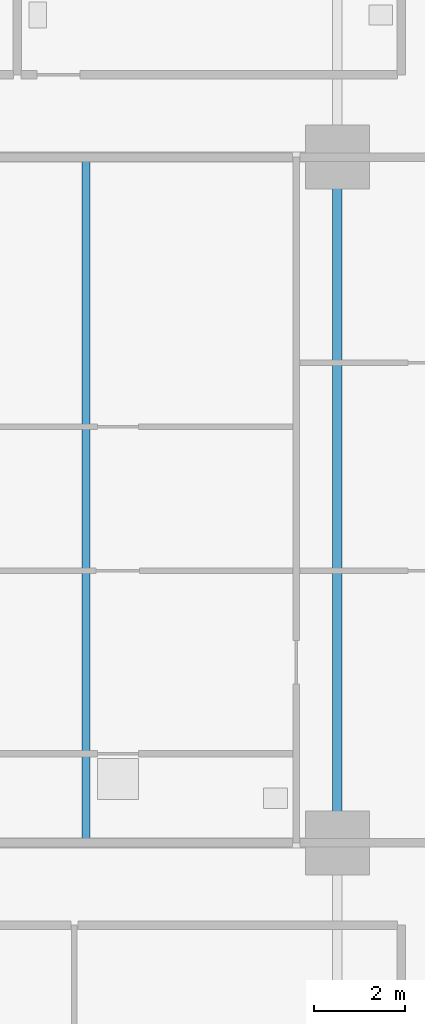
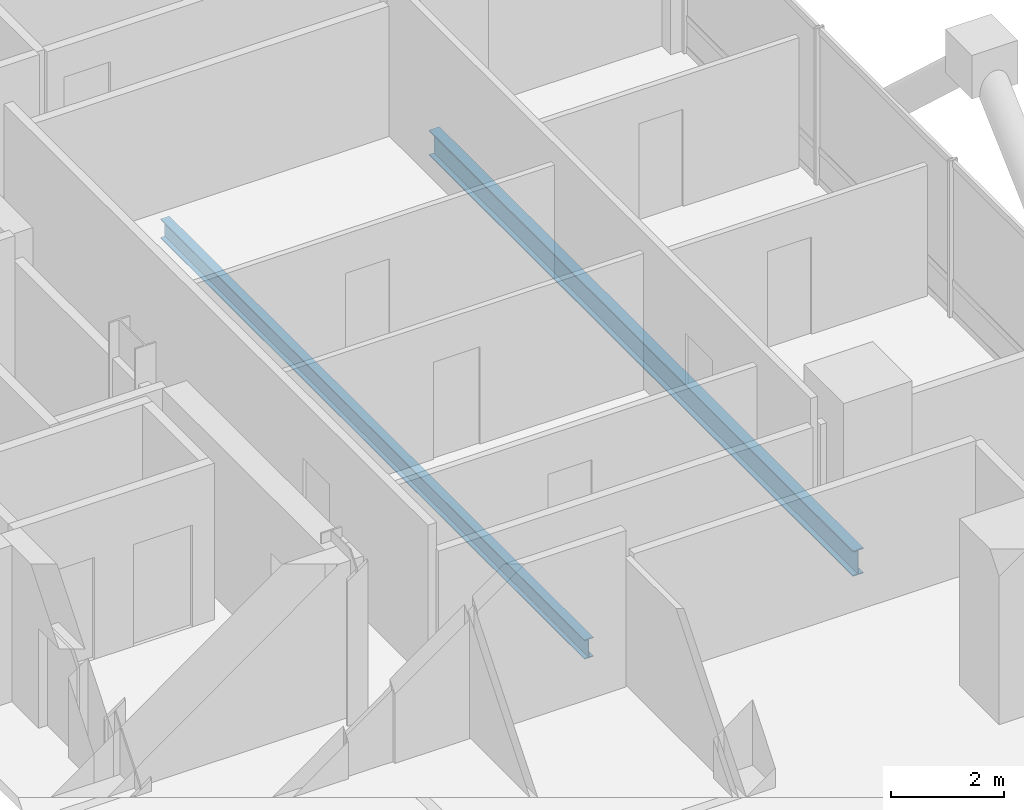
# One storey, part 9 of 23: 2 beams.
"""IFC4 building model written with IfcOpenShell, lengths in metres."""

from ifc_helpers import new_model, si_unit, direction, frame, origin, origin_2d, place, context, subcontext, project, spatial, i_section, extrude, material, material_profile, profile_set, type_object, element, save


model = new_model("IFC4")

# Units and contexts
model_context = context("Model", 3, precision=1e-05, world=origin(), true_north=direction((0.0, 1.0)))
body_context = subcontext(model_context, "Body", "Model", "MODEL_VIEW")
ifc_project = project(units=[si_unit("LENGTHUNIT", "METRE"), si_unit("AREAUNIT", "SQUARE_METRE"), si_unit("VOLUMEUNIT", "CUBIC_METRE"), si_unit("PLANEANGLEUNIT", "RADIAN"), si_unit("MASSUNIT", "GRAM", prefix="KILO")], contexts=[model_context])

# Site, building, storey
site_placement = place(None, origin())
site = spatial("IfcSite", under=ifc_project, at=site_placement, CompositionType="ELEMENT")
building_placement = place(site_placement, origin())
building = spatial("IfcBuilding", under=site, at=building_placement, Name="Barlavira Tower and Art Museum", CompositionType="ELEMENT")
storey_placement = place(building_placement, frame((0.0, 0.0, 36.0)))
storey = spatial("IfcBuildingStorey", under=building, at=storey_placement, Name="L07", CompositionType="ELEMENT", Elevation=36.0)

# Beams
ifc_material = material(Name="Steel S355", Category="steel")
ifc_material_profile_1 = material_profile(ifc_material, i_section(OverallWidth=0.180908203125, OverallDepth=0.4169921875, WebThickness=0.010986328125, FlangeThickness=0.018310546875, at=origin_2d()), Name="W410x85.0")
ifc_profile_set_1 = profile_set([ifc_material_profile_1], Name="Steel S355")
beam_type_1 = type_object("IfcBeamType", Name="Zone 1 Composite Floor Joist W410x85 Steel S355", PredefinedType="JOIST", material=ifc_profile_set_1)
beam_1_placement = place(storey_placement, frame((11.5, -7.5, -0.428466796875), z_axis=(0.0, 1.0, 0.0), x_axis=(-1.0, 0.0, 0.0)))
element("IfcBeam", 1, at=beam_1_placement, inside=storey, type_object=beam_type_1, Name="L07 Joist W2", PredefinedType="JOIST", context=body_context, shape_type="SweptSolid", body=[
    extrude(i_section(OverallWidth=0.180908203125, OverallDepth=0.4169921875, WebThickness=0.010986328125, FlangeThickness=0.018310546875, at=origin_2d()), origin(), (0.0, 0.0, 1.0), 15.0),
])
ifc_material_profile_2 = material_profile(ifc_material, i_section(OverallWidth=0.214111328125, OverallDepth=0.549072265625, WebThickness=0.0146484375, FlangeThickness=0.023681640625, at=origin_2d()), Name="W530x138.0")
ifc_profile_set_2 = profile_set([ifc_material_profile_2], Name="Steel S355")
beam_type_2 = type_object("IfcBeamType", Name="Zone 1 Primary Floor Girder W530x138 Steel S355", PredefinedType="BEAM", material=ifc_profile_set_2)
beam_2_placement = place(storey_placement, frame((17.0, -7.5, -0.494384765625), z_axis=(0.0, 1.0, 0.0), x_axis=(-1.0, 0.0, 0.0)))
element("IfcBeam", 2, at=beam_2_placement, inside=storey, type_object=beam_type_2, Name="L07 Girder M-E2", PredefinedType="BEAM", context=body_context, shape_type="SweptSolid", body=[
    extrude(i_section(OverallWidth=0.214111328125, OverallDepth=0.549072265625, WebThickness=0.0146484375, FlangeThickness=0.023681640625, at=origin_2d()), origin(), (0.0, 0.0, 1.0), 15.0),
])

save(model, "model.ifc")
